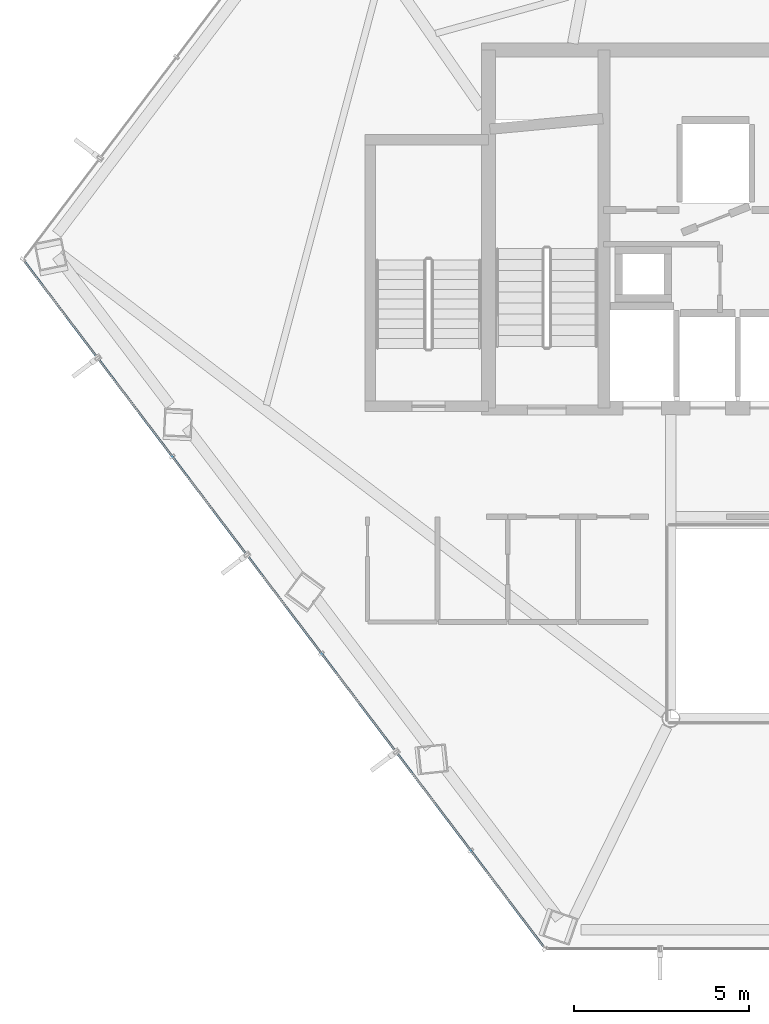
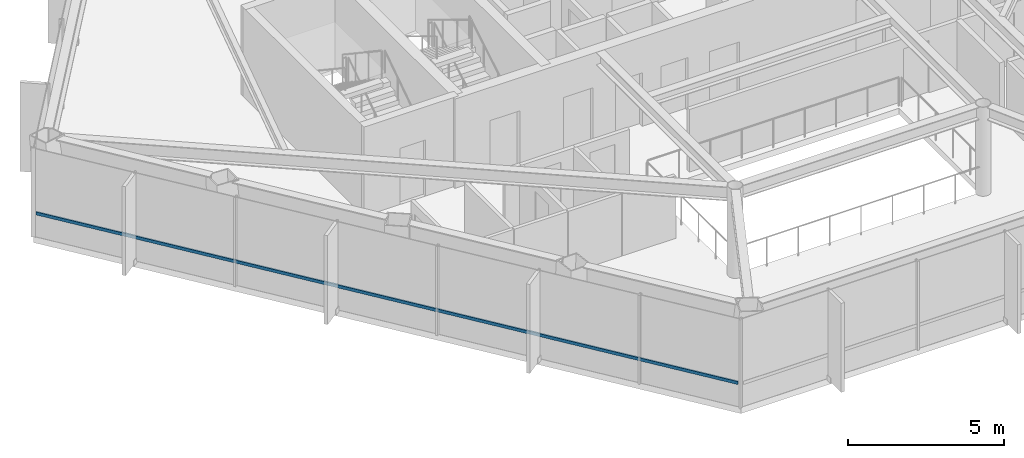
# One storey, part 3 of 28: 1 member, 1 element without a shape of its own.
"""IFC4 building model written with IfcOpenShell, lengths in metres."""

from ifc_helpers import new_model, si_unit, direction, frame, origin, origin_2d, place, context, subcontext, project, spatial, hollow_rectangle, extrude, material, layer, layer_set, material_profile, profile_set, type_object, element, aggregate, save


model = new_model("IFC4")

# Units and contexts
model_context = context("Model", 3, precision=1e-05, world=origin(), true_north=direction((0.0, 1.0)))
body_context = subcontext(model_context, "Body", "Model", "MODEL_VIEW")
ifc_project = project(units=[si_unit("LENGTHUNIT", "METRE"), si_unit("AREAUNIT", "SQUARE_METRE"), si_unit("VOLUMEUNIT", "CUBIC_METRE"), si_unit("PLANEANGLEUNIT", "RADIAN"), si_unit("MASSUNIT", "GRAM", prefix="KILO")], contexts=[model_context])

# Site, building, storey
site_placement = place(None, origin())
site = spatial("IfcSite", under=ifc_project, at=site_placement, CompositionType="ELEMENT")
building_placement = place(site_placement, origin())
building = spatial("IfcBuilding", under=site, at=building_placement, Name="Zarrinselat Tower", CompositionType="ELEMENT")
storey_placement = place(building_placement, frame((0.0, 0.0, 153.340087890625)))
storey = spatial("IfcBuildingStorey", under=building, at=storey_placement, Name="L37", CompositionType="ELEMENT", Elevation=153.340087890625)

# Curtain wall, member
ifc_material_1 = material(Name="Extruded Aluminium Alloy EN AW-6063 T6", Category="aluminium")
ifc_layer = layer(ifc_material_1, 0.175048828125)
ifc_layer_set = layer_set([ifc_layer], Name="Extruded Aluminium Alloy EN AW-6063 T6")
curtain_wall_type = type_object("IfcCurtainWallType", Name="CWS-HTL", PredefinedType="NOTDEFINED", material=ifc_layer_set)
curtain_wall_placement = place(storey_placement, origin())
curtain_wall = element("IfcCurtainWall", 1, at=curtain_wall_placement, inside=storey, type_object=curtain_wall_type, Name="L37 Unitised Curtain Wall CW-L37-E03", PredefinedType="NOTDEFINED")
ifc_material_2 = material(Name="Extruded Aluminium Alloy EN AW-6063 T6", Category="aluminium")
ifc_material_profile = material_profile(ifc_material_2, hollow_rectangle(XDim=0.06005859375, YDim=0.1201171875, WallThickness=0.00390625, at=origin_2d()), Name="RHS 120x60x4")
ifc_profile_set = profile_set([ifc_material_profile], Name="Extruded Aluminium Alloy EN AW-6063 T6")
member_type = type_object("IfcMemberType", Name="MEM-CW-TRN2", PredefinedType="USERDEFINED", material=ifc_profile_set)
member_placement = place(storey_placement, frame((15.385986328125, 37.41162109375, 0.949951171875), z_axis=(0.603864986121, -0.797086619218, 0.0), x_axis=(0.797086619218, 0.603864986121, 0.0)))
member = element("IfcMember", 2, at=member_placement, type_object=member_type, Name="CW-L37-E03 Transom 1", ObjectType="TRANSOM", PredefinedType="USERDEFINED", context=body_context, shape_type="SweptSolid", body=[
    extrude(hollow_rectangle(XDim=0.06005859375, YDim=0.1201171875, WallThickness=0.00390625, at=origin_2d()), origin(), (0.0, 0.0, 1.0), 24.474609375),
])
aggregate(curtain_wall, [member])

save(model, "model.ifc")
